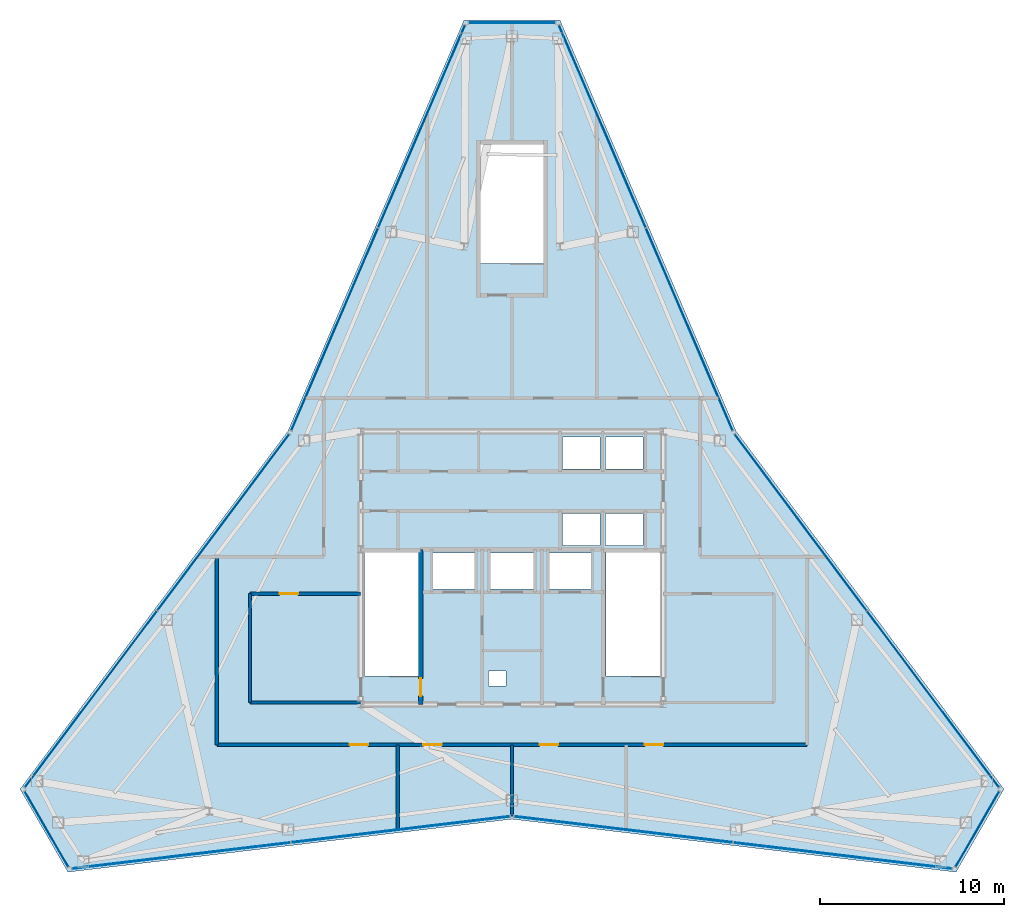
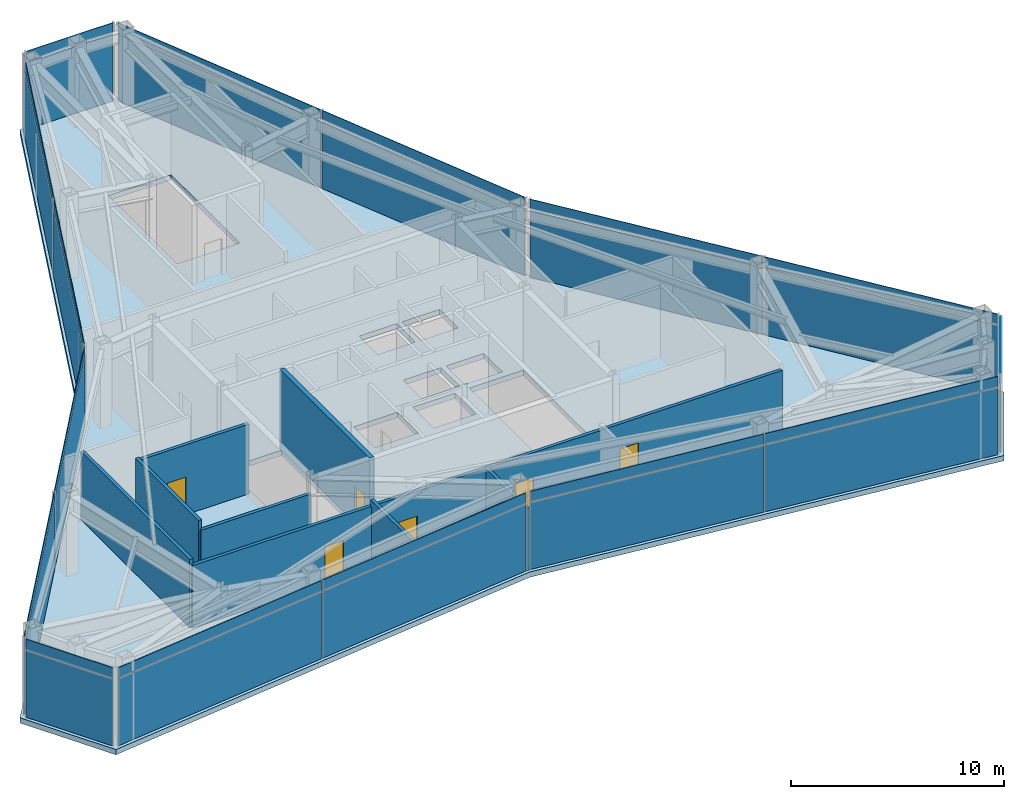
# One storey, part 8 of 11: 30 plates, 8 walls, 6 doors, 1 slab, 6 openings, 9 elements without a shape of their own.
"""IFC4 building model written with IfcOpenShell, lengths in metres."""

import ifcopenshell
import ifcopenshell.guid

model = None  # the IFC model being written
_history = None  # IfcOwnerHistory: only IFC2X3 demands one
_inside = {}  # id of a spatial element -> (the spatial element, [elements in it])
_under = {}  # id of a project, library or spatial element -> (it, [spatial elements below it])
_declared = {}  # id of a project -> (the project, [libraries it declares])
_typed = {}  # id of a type object -> (the type object, [elements of that type])
_made_of = {}  # id of a material, layer set ... -> (it, [elements and type objects made of it])


def new_model(schema):
    """Start an empty IFC model of exactly this schema.

    Asked for "IFC4X3", IfcOpenShell would pick the latest addendum, in which some entities
    have other attributes; the version numbers below select the first issue.
    IFC2X3 requires an IfcOwnerHistory on every rooted entity: one is made here for all.
    """
    global model, _history
    if schema == "IFC4X3":
        model = ifcopenshell.file(schema_version=(4, 3, 0, 0))
    else:
        model = ifcopenshell.file(schema=schema)
    _inside.clear()
    _under.clear()
    _declared.clear()
    _typed.clear()
    _made_of.clear()
    _history = None
    if model.schema == "IFC2X3":
        org = make("IfcOrganization", Name="unknown")
        user = make(
            "IfcPersonAndOrganization",
            ThePerson=make("IfcPerson", FamilyName="unknown"),
            TheOrganization=org,
        )
        app = make(
            "IfcApplication",
            ApplicationDeveloper=org,
            Version="unknown",
            ApplicationFullName="unknown",
            ApplicationIdentifier="unknown",
        )
        _history = make(
            "IfcOwnerHistory",
            OwningUser=user,
            OwningApplication=app,
            ChangeAction="ADDED",
            CreationDate=0,
        )
    return model


def make(cls, **values):
    """One entity of the class cls with the attributes given. An attribute that is None is left unset."""
    return model.create_entity(
        cls, **{name: value for name, value in values.items() if value is not None}
    )


def rooted(cls, **values):
    """An entity with a GlobalId (a new one), such as an element, a storey or a relation."""
    return make(cls, GlobalId=ifcopenshell.guid.new(), OwnerHistory=_history, **values)


def si_unit(unit_type, name, prefix=None):
    """IfcSIUnit, for example si_unit("LENGTHUNIT", "METRE", prefix="MILLI")."""
    return make("IfcSIUnit", UnitType=unit_type, Prefix=prefix, Name=name)


def assignment(units):
    """IfcUnitAssignment: the units of a project."""
    return None if units is None else make("IfcUnitAssignment", Units=units)


def point(xyz):
    """IfcCartesianPoint."""
    return None if xyz is None else make("IfcCartesianPoint", Coordinates=xyz)


def direction(xyz):
    """IfcDirection."""
    return None if xyz is None else make("IfcDirection", DirectionRatios=xyz)


def frame(location, z_axis=None, x_axis=None):
    """IfcAxis2Placement3D, a coordinate frame: its origin and axes. An axis left out is left unset."""
    return make(
        "IfcAxis2Placement3D",
        Location=point(location),
        Axis=direction(z_axis),
        RefDirection=direction(x_axis),
    )


def frame_2d(location, x_axis=None):
    """IfcAxis2Placement2D, a coordinate frame in the plane: its origin and x axis."""
    return make(
        "IfcAxis2Placement2D", Location=point(location), RefDirection=direction(x_axis)
    )


def origin():
    """The frame at (0, 0, 0) with its axes left unset."""
    return frame((0.0, 0.0, 0.0))


def origin_2d():
    """The frame at (0, 0) in the plane with its x axis left unset."""
    return frame_2d((0.0, 0.0))


def place(relative_to, where):
    """IfcLocalPlacement: puts the frame where relative to a parent placement (None: the world)."""
    return make(
        "IfcLocalPlacement", PlacementRelTo=relative_to, RelativePlacement=where
    )


def context(
    kind, dimensions, precision=None, world=None, true_north=None, identifier=None
):
    """IfcGeometricRepresentationContext, for example the 3D "Model" context."""
    return make(
        "IfcGeometricRepresentationContext",
        ContextIdentifier=identifier,
        ContextType=kind,
        CoordinateSpaceDimension=dimensions,
        Precision=precision,
        WorldCoordinateSystem=world,
        TrueNorth=true_north,
    )


def subcontext(parent, identifier, kind, view, scale=None):
    """IfcGeometricRepresentationSubContext, for example "Body" below "Model"."""
    return make(
        "IfcGeometricRepresentationSubContext",
        ContextIdentifier=identifier,
        ContextType=kind,
        ParentContext=parent,
        TargetScale=scale,
        TargetView=view,
    )


def project(units=None, contexts=None):
    """IfcProject with its units and contexts."""
    return rooted(
        "IfcProject",
        Name="project",
        RepresentationContexts=contexts,
        UnitsInContext=assignment(units),
    )


def spatial(cls, under=None, at=None, **own):
    """A site, building, storey or space (cls), placed at a placement, below another one or the project."""
    s = rooted(cls, ObjectPlacement=at, **own)
    if under is not None:
        _under.setdefault(under.id(), (under, []))[1].append(s)
    return s


def polyline(points):
    """IfcPolyline through the points."""
    return make("IfcPolyline", Points=[point(p) for p in points])


def profile(cls, at=None, kind="AREA", **sizes):
    """A parametric profile (cls). Its sizes go by their IFC names, for example OverallWidth=200.0."""
    return make(cls, ProfileType=kind, Position=at, **sizes)


def rectangle(**sizes):
    """IfcRectangleProfileDef."""
    return profile("IfcRectangleProfileDef", **sizes)


def outline(outer, holes=None, kind="AREA"):
    """IfcArbitraryClosedProfileDef: a profile drawn as a closed curve; with holes, ...WithVoids."""
    if holes is None:
        return make("IfcArbitraryClosedProfileDef", ProfileType=kind, OuterCurve=outer)
    return make(
        "IfcArbitraryProfileDefWithVoids",
        ProfileType=kind,
        OuterCurve=outer,
        InnerCurves=holes,
    )


def extrude(swept, where, along, depth):
    """IfcExtrudedAreaSolid: the profile swept, set in the frame where, extruded along a direction by depth."""
    return make(
        "IfcExtrudedAreaSolid",
        SweptArea=swept,
        Position=where,
        ExtrudedDirection=direction(along),
        Depth=depth,
    )


def shape(context_of_items, identifier, shape_type, items):
    """IfcShapeRepresentation: the items that make up one representation, for example the "Body"."""
    return make(
        "IfcShapeRepresentation",
        ContextOfItems=context_of_items,
        RepresentationIdentifier=identifier,
        RepresentationType=shape_type,
        Items=items,
    )


def source(mapping_origin, context_of_items, identifier, shape_type, items):
    """IfcRepresentationMap: a shape defined once, which mapped items show again and again."""
    return make(
        "IfcRepresentationMap",
        MappingOrigin=mapping_origin,
        MappedRepresentation=shape(context_of_items, identifier, shape_type, items),
    )


def transform(
    local_origin,
    x_axis=None,
    y_axis=None,
    z_axis=None,
    scale=None,
    scale2=None,
    scale3=None,
    uniform=True,
):
    """IfcCartesianTransformationOperator3D, or its non-uniform kind. x_axis, y_axis, z_axis: its Axis1, 2, 3."""
    if uniform:
        return make(
            "IfcCartesianTransformationOperator3D",
            Axis1=direction(x_axis),
            Axis2=direction(y_axis),
            LocalOrigin=point(local_origin),
            Scale=scale,
            Axis3=direction(z_axis),
        )
    return make(
        "IfcCartesianTransformationOperator3DnonUniform",
        Axis1=direction(x_axis),
        Axis2=direction(y_axis),
        LocalOrigin=point(local_origin),
        Scale=scale,
        Axis3=direction(z_axis),
        Scale2=scale2,
        Scale3=scale3,
    )


def mapped(mapping_source, mapping_target):
    """IfcMappedItem: shows the shape of a source again, moved by a transform."""
    return make(
        "IfcMappedItem", MappingSource=mapping_source, MappingTarget=mapping_target
    )


def material(Name=None, Category=None):
    """IfcMaterial."""
    return make("IfcMaterial", Name=Name, Category=Category)


def layer(
    of_material, thickness, ventilated=None, Name=None, Category=None, Priority=None
):
    """IfcMaterialLayer: one layer of a wall or slab, of a material (None: an air gap)."""
    return make(
        "IfcMaterialLayer",
        Material=of_material,
        LayerThickness=thickness,
        IsVentilated=ventilated,
        Name=Name,
        Category=Category,
        Priority=Priority,
    )


def layer_set(layers, Name=None):
    """IfcMaterialLayerSet."""
    return make("IfcMaterialLayerSet", MaterialLayers=layers, LayerSetName=Name)


def made_of(thing, what):
    """Note that an element or type object is made of a material, layer set ...; save() writes the relation."""
    if what is not None:
        _made_of.setdefault(what.id(), (what, []))[1].append(thing)
    return thing


def type_object(cls, material=None, **own):
    """A type object (cls), such as IfcWallType, which elements share."""
    return made_of(rooted(cls, **own), material)


def type_shapes(of_type, sources):
    """Give a type object the sources (RepresentationMaps) that its elements show as mapped items."""
    of_type.RepresentationMaps = sources


def element(
    cls,
    number,
    at=None,
    inside=None,
    cuts=None,
    type_object=None,
    material=None,
    context=None,
    identifier="Body",
    shape_type=None,
    held_by="IfcProductDefinitionShape",
    body=None,
    shapes=None,
    **own,
):
    """One element of the class cls, such as IfcWall. Its Tag is "e" and its number.

    at: its placement. inside: the storey or other place that contains it. cuts: it is an
    opening in that element (IfcRelVoidsElement). A single representation is given by context,
    identifier, shape_type and body (its items); several are given by shapes. held_by: the class
    of the entity that holds the representations. save() writes the other relations.
    """
    e = rooted(cls, Tag="e%d" % number, ObjectPlacement=at, **own)
    if body is not None:
        shapes = [shape(context, identifier, shape_type, body)]
    if shapes is not None:
        e.Representation = make(held_by, Representations=shapes)
    if inside is not None:
        _inside.setdefault(inside.id(), (inside, []))[1].append(e)
    if cuts is not None:
        rooted(
            "IfcRelVoidsElement", RelatingBuildingElement=cuts, RelatedOpeningElement=e
        )
    if type_object is not None:
        _typed.setdefault(type_object.id(), (type_object, []))[1].append(e)
    return made_of(e, material)


def fill(opening, filler):
    """IfcRelFillsElement: the door or window that sits in an opening."""
    return rooted(
        "IfcRelFillsElement",
        RelatingOpeningElement=opening,
        RelatedBuildingElement=filler,
    )


def aggregate(whole, parts):
    """IfcRelAggregates: a whole, such as a stair, and the parts it consists of."""
    return rooted("IfcRelAggregates", RelatingObject=whole, RelatedObjects=parts)


def save(model, path):
    """Write the relations noted so far, then the file.

    IfcRelAggregates (storeys below a building ...), IfcRelContainedInSpatialStructure (elements
    in a storey), IfcRelDefinesByType, IfcRelAssociatesMaterial and IfcRelDeclares: one each for
    every whole, place, type object, material and project.
    """
    for whole, parts in _under.values():
        aggregate(whole, parts)
    for where, things in _inside.values():
        rooted(
            "IfcRelContainedInSpatialStructure",
            RelatedElements=things,
            RelatingStructure=where,
        )
    for kind, things in _typed.values():
        rooted("IfcRelDefinesByType", RelatedObjects=things, RelatingType=kind)
    for what, things in _made_of.values():
        rooted("IfcRelAssociatesMaterial", RelatedObjects=things, RelatingMaterial=what)
    for by, libraries in _declared.values():
        rooted("IfcRelDeclares", RelatingContext=by, RelatedDefinitions=libraries)
    model.write(path)


model = new_model("IFC4")

# Units and contexts
model_context = context("Model", 3, precision=1e-05, world=origin(), true_north=direction((0.0, 1.0)))
body_context = subcontext(model_context, "Body", "Model", "MODEL_VIEW")
ifc_project = project(units=[si_unit("LENGTHUNIT", "METRE"), si_unit("AREAUNIT", "SQUARE_METRE"), si_unit("VOLUMEUNIT", "CUBIC_METRE"), si_unit("PLANEANGLEUNIT", "RADIAN"), si_unit("MASSUNIT", "GRAM", prefix="KILO")], contexts=[model_context])

# Site, building, storey
site_placement = place(None, origin())
site = spatial("IfcSite", under=ifc_project, at=site_placement, CompositionType="ELEMENT")
building_placement = place(site_placement, origin())
building = spatial("IfcBuilding", under=site, at=building_placement, Name="Varakhsha Concourse Tower", CompositionType="ELEMENT")
storey_placement = place(building_placement, frame((0.0, 0.0, 290.0)))
storey = spatial("IfcBuildingStorey", under=building, at=storey_placement, Name="L82", CompositionType="ELEMENT", Elevation=290.0)

# Slab
ifc_material_1 = material(Name="Concrete fc 45 MPa", Category="concrete")
ifc_layer_1 = layer(ifc_material_1, 0.300048828125, Name="SL-FLR-300")
ifc_layer_set_1 = layer_set([ifc_layer_1], Name="Concrete fc 45 MPa")
slab_type = type_object("IfcSlabType", Name="SL-FLR-300", PredefinedType="FLOOR", material=ifc_layer_set_1)
slab_placement = place(storey_placement, frame((0.0, 0.0, -0.300048828125)))
element("IfcSlab", 1, at=slab_placement, inside=storey, type_object=slab_type, Name="L82 Composite Structural Slab", PredefinedType="FLOOR", context=body_context, shape_type="SweptSolid", body=[
    extrude(outline(polyline([(42.60009765625, 53.49658203125), (37.39990234375, 53.49658203125), (27.852294921875, 31.21337890625), (13.328369140625, 11.80322265625), (15.92822265625, 7.300048828125), (40.0, 10.173095703125), (64.07177734375, 7.300048828125), (66.671630859375, 11.80322265625), (52.147705078125, 31.21337890625), (42.60009765625, 53.49658203125)]), holes=[polyline([(34.919921875, 17.93994140625), (34.919921875, 24.6298828125), (32.0, 24.6298828125), (32.0, 17.93994140625), (34.919921875, 17.93994140625)]), polyline([(48.02001953125, 17.93994140625), (48.02001953125, 24.6298828125), (45.10009765625, 24.6298828125), (45.10009765625, 17.93994140625), (48.02001953125, 17.93994140625)]), polyline([(41.699951171875, 40.300048828125), (41.699951171875, 46.75), (38.300048828125, 46.75), (38.300048828125, 40.300048828125), (41.699951171875, 40.300048828125)]), polyline([(42.739990234375, 29.159912109375), (44.780029296875, 29.159912109375), (44.780029296875, 30.89990234375), (42.739990234375, 30.89990234375), (42.739990234375, 29.159912109375)]), polyline([(45.06005859375, 29.159912109375), (47.10009765625, 29.159912109375), (47.10009765625, 30.89990234375), (45.06005859375, 30.89990234375), (45.06005859375, 29.159912109375)]), polyline([(42.739990234375, 25.0), (44.780029296875, 25.0), (44.780029296875, 26.739990234375), (42.739990234375, 26.739990234375), (42.739990234375, 25.0)]), polyline([(45.06005859375, 25.0), (47.10009765625, 25.0), (47.10009765625, 26.739990234375), (45.06005859375, 26.739990234375), (45.06005859375, 25.0)]), polyline([(35.7099609375, 22.639892578125), (37.989990234375, 22.639892578125), (37.989990234375, 24.60009765625), (35.7099609375, 24.60009765625), (35.7099609375, 22.639892578125)]), polyline([(42.010009765625, 22.639892578125), (44.2900390625, 22.639892578125), (44.2900390625, 24.60009765625), (42.010009765625, 24.60009765625), (42.010009765625, 22.639892578125)]), polyline([(38.81005859375, 22.639892578125), (41.18994140625, 22.639892578125), (41.18994140625, 24.60009765625), (38.81005859375, 24.60009765625), (38.81005859375, 22.639892578125)]), polyline([(38.719970703125, 17.39990234375), (39.679931640625, 17.39990234375), (39.679931640625, 18.199951171875), (38.719970703125, 18.199951171875), (38.719970703125, 17.39990234375)])]), origin(), (0.0, 0.0, 1.0), 0.300048828125),
])

# Curtain wall, plate
ifc_material_2 = material(Name="Anodised Bronze Architectural Aluminium AA 6063-T6", Category="aluminium")
ifc_layer_2 = layer(ifc_material_2, 0.260009765625, Name="CW-SYS-06")
ifc_layer_set_2 = layer_set([ifc_layer_2], Name="Anodised Bronze Architectural Aluminium AA 6063-T6")
curtain_wall_type = type_object("IfcCurtainWallType", Name="CW-SYS-06", PredefinedType="NOTDEFINED", material=ifc_layer_set_2)
curtain_wall_1_placement = place(storey_placement, origin())
curtain_wall_1 = element("IfcCurtainWall", 2, at=curtain_wall_1_placement, inside=storey, type_object=curtain_wall_type, Name="L82 Chamfer Curtain Wall F1", PredefinedType="NOTDEFINED")
ifc_material_3 = material(Name="Insulated Anodised Bronze Aluminium Spandrel 36 mm", Category="aluminium")
ifc_layer_3 = layer(ifc_material_3, 0.035888671875, Name="CWP-SPN-36")
ifc_layer_set_3 = layer_set([ifc_layer_3], Name="Insulated Anodised Bronze Aluminium Spandrel 36 mm")
plate_type_1 = type_object("IfcPlateType", Name="CWP-SPN-36", PredefinedType="USERDEFINED", material=ifc_layer_set_3)
shared_shape_1 = source(origin(), body_context, "Body", "SweptSolid", [
    extrude(rectangle(XDim=4.69091796875, YDim=0.035888671875, at=origin_2d()), origin(), (0.0, 0.0, 1.0), 0.5859375),
])
plate_1_placement = place(storey_placement, frame((40.0, 53.336669921875, 3.922119140625), z_axis=(0.0, 0.0, 1.0), x_axis=(1.0, 0.0, 0.0)))
plate_1 = element("IfcPlate", 3, at=plate_1_placement, type_object=plate_type_1, Name="CW-L82-F1 Panel 00-01", ObjectType="SPANDREL", PredefinedType="USERDEFINED", context=body_context, shape_type="MappedRepresentation", body=[
    mapped(shared_shape_1, transform((0.0, 0.0, 0.0), scale=1.0)),
])

curtain_wall_2_placement = place(storey_placement, origin())
curtain_wall_2 = element("IfcCurtainWall", 4, at=curtain_wall_2_placement, inside=storey, type_object=curtain_wall_type, Name="L82 Chamfer Curtain Wall F4", PredefinedType="NOTDEFINED")
plate_2_placement = place(storey_placement, frame((14.766845703125, 9.631591796875, 3.922119140625), z_axis=(0.0, 0.0, 1.0), x_axis=(-0.4999984885, 0.866026276448, 0.0)))
plate_2 = element("IfcPlate", 5, at=plate_2_placement, type_object=plate_type_1, Name="CW-L82-F4 Panel 00-01", ObjectType="SPANDREL", PredefinedType="USERDEFINED", context=body_context, shape_type="MappedRepresentation", body=[
    mapped(shared_shape_1, transform((0.0, 0.0, 0.0), scale=1.0)),
])

curtain_wall_3_placement = place(storey_placement, origin())
curtain_wall_3 = element("IfcCurtainWall", 6, at=curtain_wall_3_placement, inside=storey, type_object=curtain_wall_type, Name="L82 Chamfer Curtain Wall F7", PredefinedType="NOTDEFINED")
plate_3_placement = place(storey_placement, frame((65.233154296875, 9.631591796875, 3.922119140625), z_axis=(0.0, 0.0, 1.0), x_axis=(-0.4999984885, -0.866026276448, 0.0)))
plate_3 = element("IfcPlate", 7, at=plate_3_placement, type_object=plate_type_1, Name="CW-L82-F7 Panel 00-01", ObjectType="SPANDREL", PredefinedType="USERDEFINED", context=body_context, shape_type="MappedRepresentation", body=[
    mapped(shared_shape_1, transform((0.0, 0.0, 0.0), scale=1.0)),
])

# Plate
ifc_material_4 = material(Name="Extruded Bronze Storm-Proof Acoustic Louvre", Category="aluminium")
ifc_layer_4 = layer(ifc_material_4, 0.050048828125, Name="CWP-LVR-50")
ifc_layer_set_4 = layer_set([ifc_layer_4], Name="Extruded Bronze Storm-Proof Acoustic Louvre")
plate_type_2 = type_object("IfcPlateType", Name="CWP-LVR-50", PredefinedType="USERDEFINED", material=ifc_layer_set_4)
shared_shape_2 = source(origin(), body_context, "Body", "SweptSolid", [
    extrude(rectangle(XDim=4.69091796875, YDim=0.050048828125, at=origin_2d()), origin(), (0.0, 0.0, 1.0), 3.825927734375),
])
plate_4_placement = place(storey_placement, frame((40.0, 53.336669921875, 0.0322265625), z_axis=(0.0, 0.0, 1.0), x_axis=(1.0, 0.0, 0.0)))
plate_4 = element("IfcPlate", 8, at=plate_4_placement, type_object=plate_type_2, Name="CW-L82-F1 Panel 00-00", ObjectType="LOUVRE", PredefinedType="USERDEFINED", context=body_context, shape_type="MappedRepresentation", body=[
    mapped(shared_shape_2, transform((0.0, 0.0, 0.0), scale=1.0)),
])

aggregate(curtain_wall_1, [plate_4, plate_1])

plate_5_placement = place(storey_placement, frame((14.766845703125, 9.631591796875, 0.0322265625), z_axis=(0.0, 0.0, 1.0), x_axis=(-0.4999984885, 0.866026276448, 0.0)))
plate_5 = element("IfcPlate", 9, at=plate_5_placement, type_object=plate_type_2, Name="CW-L82-F4 Panel 00-00", ObjectType="LOUVRE", PredefinedType="USERDEFINED", context=body_context, shape_type="MappedRepresentation", body=[
    mapped(shared_shape_2, transform((0.0, 0.0, 0.0), scale=1.0)),
])

aggregate(curtain_wall_2, [plate_5, plate_2])

plate_6_placement = place(storey_placement, frame((65.233154296875, 9.631591796875, 0.0322265625), z_axis=(0.0, 0.0, 1.0), x_axis=(-0.4999984885, -0.866026276448, 0.0)))
plate_6 = element("IfcPlate", 10, at=plate_6_placement, type_object=plate_type_2, Name="CW-L82-F7 Panel 00-00", ObjectType="LOUVRE", PredefinedType="USERDEFINED", context=body_context, shape_type="MappedRepresentation", body=[
    mapped(shared_shape_2, transform((0.0, 0.0, 0.0), scale=1.0)),
])

aggregate(curtain_wall_3, [plate_6, plate_3])

# Curtain wall, plate
curtain_wall_4_placement = place(storey_placement, origin())
curtain_wall_4 = element("IfcCurtainWall", 11, at=curtain_wall_4_placement, inside=storey, type_object=curtain_wall_type, Name="L82 Crystal Curtain Wall F2", PredefinedType="NOTDEFINED")
shared_shape_3 = source(origin(), body_context, "Body", "SweptSolid", [
    extrude(rectangle(XDim=11.902099609375, YDim=0.050048828125, at=origin_2d()), origin(), (0.0, 0.0, 1.0), 3.825927734375),
])
plate_7_placement = place(storey_placement, frame((30.38818359375, 36.725830078125, 0.0322265625), z_axis=(0.0, 0.0, 1.0), x_axis=(0.393839238731, 0.919179337255, 0.0)))
plate_7 = element("IfcPlate", 12, at=plate_7_placement, type_object=plate_type_2, Name="CW-L82-F2 Panel 00-00", ObjectType="LOUVRE", PredefinedType="USERDEFINED", context=body_context, shape_type="MappedRepresentation", body=[
    mapped(shared_shape_3, transform((0.0, 0.0, 0.0), scale=1.0)),
])

curtain_wall_5_placement = place(storey_placement, origin())
curtain_wall_5 = element("IfcCurtainWall", 13, at=curtain_wall_5_placement, inside=storey, type_object=curtain_wall_type, Name="L82 Crystal Curtain Wall F5", PredefinedType="NOTDEFINED")
plate_8_placement = place(storey_placement, frame((33.958251953125, 9.613037109375, 0.0322265625), z_axis=(0.0, 0.0, 1.0), x_axis=(-0.992952482908, -0.118513149851, 0.0)))
plate_8 = element("IfcPlate", 14, at=plate_8_placement, type_object=plate_type_2, Name="CW-L82-F5 Panel 00-00", ObjectType="LOUVRE", PredefinedType="USERDEFINED", context=body_context, shape_type="MappedRepresentation", body=[
    mapped(shared_shape_3, transform((0.0, 0.0, 0.0), scale=1.0)),
])

curtain_wall_6_placement = place(storey_placement, origin())
curtain_wall_6 = element("IfcCurtainWall", 15, at=curtain_wall_6_placement, inside=storey, type_object=curtain_wall_type, Name="L82 Crystal Curtain Wall F6", PredefinedType="NOTDEFINED")
plate_9_placement = place(storey_placement, frame((57.9287109375, 8.1943359375, 0.0322265625), z_axis=(0.0, 0.0, 1.0), x_axis=(-0.992952482908, 0.118513149851, 0.0)))
plate_9 = element("IfcPlate", 16, at=plate_9_placement, type_object=plate_type_2, Name="CW-L82-F6 Panel 00-00", ObjectType="LOUVRE", PredefinedType="USERDEFINED", context=body_context, shape_type="MappedRepresentation", body=[
    mapped(shared_shape_3, transform((0.0, 0.0, 0.0), scale=1.0)),
])

curtain_wall_7_placement = place(storey_placement, origin())
curtain_wall_7 = element("IfcCurtainWall", 17, at=curtain_wall_7_placement, inside=storey, type_object=curtain_wall_type, Name="L82 Crystal Curtain Wall F9", PredefinedType="NOTDEFINED")
plate_10_placement = place(storey_placement, frame((44.89697265625, 47.729736328125, 0.0322265625), z_axis=(0.0, 0.0, 1.0), x_axis=(0.393839238731, -0.919179337255, 0.0)))
plate_10 = element("IfcPlate", 18, at=plate_10_placement, type_object=plate_type_2, Name="CW-L82-F9 Panel 00-00", ObjectType="LOUVRE", PredefinedType="USERDEFINED", context=body_context, shape_type="MappedRepresentation", body=[
    mapped(shared_shape_3, transform((0.0, 0.0, 0.0), scale=1.0)),
])

# Plate
shared_shape_4 = source(origin(), body_context, "Body", "SweptSolid", [
    extrude(rectangle(XDim=11.902099609375, YDim=0.035888671875, at=origin_2d()), origin(), (0.0, 0.0, 1.0), 0.5859375),
])
plate_11_placement = place(storey_placement, frame((30.38818359375, 36.725830078125, 3.922119140625), z_axis=(0.0, 0.0, 1.0), x_axis=(0.393839238731, 0.919179337255, 0.0)))
plate_11 = element("IfcPlate", 19, at=plate_11_placement, type_object=plate_type_1, Name="CW-L82-F2 Panel 00-01", ObjectType="SPANDREL", PredefinedType="USERDEFINED", context=body_context, shape_type="MappedRepresentation", body=[
    mapped(shared_shape_4, transform((0.0, 0.0, 0.0), scale=1.0)),
])

plate_12_placement = place(storey_placement, frame((33.958251953125, 9.613037109375, 3.922119140625), z_axis=(0.0, 0.0, 1.0), x_axis=(-0.992952482908, -0.118513149851, 0.0)))
plate_12 = element("IfcPlate", 20, at=plate_12_placement, type_object=plate_type_1, Name="CW-L82-F5 Panel 00-01", ObjectType="SPANDREL", PredefinedType="USERDEFINED", context=body_context, shape_type="MappedRepresentation", body=[
    mapped(shared_shape_4, transform((0.0, 0.0, 0.0), scale=1.0)),
])

plate_13_placement = place(storey_placement, frame((57.9287109375, 8.1943359375, 3.922119140625), z_axis=(0.0, 0.0, 1.0), x_axis=(-0.992952482908, 0.118513149851, 0.0)))
plate_13 = element("IfcPlate", 21, at=plate_13_placement, type_object=plate_type_1, Name="CW-L82-F6 Panel 00-01", ObjectType="SPANDREL", PredefinedType="USERDEFINED", context=body_context, shape_type="MappedRepresentation", body=[
    mapped(shared_shape_4, transform((0.0, 0.0, 0.0), scale=1.0)),
])

plate_14_placement = place(storey_placement, frame((44.89697265625, 47.729736328125, 3.922119140625), z_axis=(0.0, 0.0, 1.0), x_axis=(0.393839238731, -0.919179337255, 0.0)))
plate_14 = element("IfcPlate", 22, at=plate_14_placement, type_object=plate_type_1, Name="CW-L82-F9 Panel 00-01", ObjectType="SPANDREL", PredefinedType="USERDEFINED", context=body_context, shape_type="MappedRepresentation", body=[
    mapped(shared_shape_4, transform((0.0, 0.0, 0.0), scale=1.0)),
])

shared_shape_5 = source(origin(), body_context, "Body", "SweptSolid", [
    extrude(rectangle(XDim=11.90234375, YDim=0.050048828125, at=origin_2d()), origin(), (0.0, 0.0, 1.0), 3.825927734375),
])
type_shapes(plate_type_2, [shared_shape_2, shared_shape_3, shared_shape_5])
plate_15_placement = place(storey_placement, frame((35.10302734375, 47.7294921875, 0.0322265625), z_axis=(0.0, 0.0, 1.0), x_axis=(0.393839238731, 0.919179337255, 0.0)))
plate_15 = element("IfcPlate", 23, at=plate_15_placement, type_object=plate_type_2, Name="CW-L82-F2 Panel 01-00", ObjectType="LOUVRE", PredefinedType="USERDEFINED", context=body_context, shape_type="MappedRepresentation", body=[
    mapped(shared_shape_5, transform((0.0, 0.0, 0.0), scale=1.0)),
])

# Curtain wall, plates
curtain_wall_8_placement = place(storey_placement, origin())
curtain_wall_8 = element("IfcCurtainWall", 24, at=curtain_wall_8_placement, inside=storey, type_object=curtain_wall_type, Name="L82 Crystal Curtain Wall F3", PredefinedType="NOTDEFINED")
plate_16_placement = place(storey_placement, frame((17.17431640625, 16.676025390625, 0.0322265625), z_axis=(0.0, 0.0, 1.0), x_axis=(0.599111639907, 0.800665500024, 0.0)))
plate_16 = element("IfcPlate", 25, at=plate_16_placement, type_object=plate_type_2, Name="CW-L82-F3 Panel 00-00", ObjectType="LOUVRE", PredefinedType="USERDEFINED", context=body_context, shape_type="MappedRepresentation", body=[
    mapped(shared_shape_5, transform((0.0, 0.0, 0.0), scale=1.0)),
])
plate_17_placement = place(storey_placement, frame((24.346435546875, 26.260986328125, 0.0322265625), z_axis=(0.0, 0.0, 1.0), x_axis=(0.599111639907, 0.800665500024, 0.0)))
plate_17 = element("IfcPlate", 26, at=plate_17_placement, type_object=plate_type_2, Name="CW-L82-F3 Panel 01-00", ObjectType="LOUVRE", PredefinedType="USERDEFINED", context=body_context, shape_type="MappedRepresentation", body=[
    mapped(shared_shape_5, transform((0.0, 0.0, 0.0), scale=1.0)),
])

# Plate
plate_18_placement = place(storey_placement, frame((22.0712890625, 8.1943359375, 0.0322265625), z_axis=(0.0, 0.0, 1.0), x_axis=(-0.992952482908, -0.118513149851, 0.0)))
plate_18 = element("IfcPlate", 27, at=plate_18_placement, type_object=plate_type_2, Name="CW-L82-F5 Panel 01-00", ObjectType="LOUVRE", PredefinedType="USERDEFINED", context=body_context, shape_type="MappedRepresentation", body=[
    mapped(shared_shape_5, transform((0.0, 0.0, 0.0), scale=1.0)),
])

plate_19_placement = place(storey_placement, frame((46.0419921875, 9.613037109375, 0.0322265625), z_axis=(0.0, 0.0, 1.0), x_axis=(-0.992952482908, 0.118513149851, 0.0)))
plate_19 = element("IfcPlate", 28, at=plate_19_placement, type_object=plate_type_2, Name="CW-L82-F6 Panel 01-00", ObjectType="LOUVRE", PredefinedType="USERDEFINED", context=body_context, shape_type="MappedRepresentation", body=[
    mapped(shared_shape_5, transform((0.0, 0.0, 0.0), scale=1.0)),
])

# Curtain wall, plates
curtain_wall_9_placement = place(storey_placement, origin())
curtain_wall_9 = element("IfcCurtainWall", 29, at=curtain_wall_9_placement, inside=storey, type_object=curtain_wall_type, Name="L82 Crystal Curtain Wall F8", PredefinedType="NOTDEFINED")
plate_20_placement = place(storey_placement, frame((55.653564453125, 26.260986328125, 0.0322265625), z_axis=(0.0, 0.0, 1.0), x_axis=(0.599111639907, -0.800665500024, 0.0)))
plate_20 = element("IfcPlate", 30, at=plate_20_placement, type_object=plate_type_2, Name="CW-L82-F8 Panel 00-00", ObjectType="LOUVRE", PredefinedType="USERDEFINED", context=body_context, shape_type="MappedRepresentation", body=[
    mapped(shared_shape_5, transform((0.0, 0.0, 0.0), scale=1.0)),
])
plate_21_placement = place(storey_placement, frame((62.82568359375, 16.676025390625, 0.0322265625), z_axis=(0.0, 0.0, 1.0), x_axis=(0.599111639907, -0.800665500024, 0.0)))
plate_21 = element("IfcPlate", 31, at=plate_21_placement, type_object=plate_type_2, Name="CW-L82-F8 Panel 01-00", ObjectType="LOUVRE", PredefinedType="USERDEFINED", context=body_context, shape_type="MappedRepresentation", body=[
    mapped(shared_shape_5, transform((0.0, 0.0, 0.0), scale=1.0)),
])

# Plate
plate_22_placement = place(storey_placement, frame((49.61181640625, 36.725830078125, 0.0322265625), z_axis=(0.0, 0.0, 1.0), x_axis=(0.393839238731, -0.919179337255, 0.0)))
plate_22 = element("IfcPlate", 32, at=plate_22_placement, type_object=plate_type_2, Name="CW-L82-F9 Panel 01-00", ObjectType="LOUVRE", PredefinedType="USERDEFINED", context=body_context, shape_type="MappedRepresentation", body=[
    mapped(shared_shape_5, transform((0.0, 0.0, 0.0), scale=1.0)),
])

shared_shape_6 = source(origin(), body_context, "Body", "SweptSolid", [
    extrude(rectangle(XDim=11.90234375, YDim=0.035888671875, at=origin_2d()), origin(), (0.0, 0.0, 1.0), 0.5859375),
])
type_shapes(plate_type_1, [shared_shape_1, shared_shape_4, shared_shape_6])
plate_23_placement = place(storey_placement, frame((35.10302734375, 47.7294921875, 3.922119140625), z_axis=(0.0, 0.0, 1.0), x_axis=(0.393839238731, 0.919179337255, 0.0)))
plate_23 = element("IfcPlate", 33, at=plate_23_placement, type_object=plate_type_1, Name="CW-L82-F2 Panel 01-01", ObjectType="SPANDREL", PredefinedType="USERDEFINED", context=body_context, shape_type="MappedRepresentation", body=[
    mapped(shared_shape_6, transform((0.0, 0.0, 0.0), scale=1.0)),
])

aggregate(curtain_wall_4, [plate_7, plate_11, plate_15, plate_23])

plate_24_placement = place(storey_placement, frame((17.17431640625, 16.676025390625, 3.922119140625), z_axis=(0.0, 0.0, 1.0), x_axis=(0.599111639907, 0.800665500024, 0.0)))
plate_24 = element("IfcPlate", 34, at=plate_24_placement, type_object=plate_type_1, Name="CW-L82-F3 Panel 00-01", ObjectType="SPANDREL", PredefinedType="USERDEFINED", context=body_context, shape_type="MappedRepresentation", body=[
    mapped(shared_shape_6, transform((0.0, 0.0, 0.0), scale=1.0)),
])

plate_25_placement = place(storey_placement, frame((24.346435546875, 26.260986328125, 3.922119140625), z_axis=(0.0, 0.0, 1.0), x_axis=(0.599111639907, 0.800665500024, 0.0)))
plate_25 = element("IfcPlate", 35, at=plate_25_placement, type_object=plate_type_1, Name="CW-L82-F3 Panel 01-01", ObjectType="SPANDREL", PredefinedType="USERDEFINED", context=body_context, shape_type="MappedRepresentation", body=[
    mapped(shared_shape_6, transform((0.0, 0.0, 0.0), scale=1.0)),
])

aggregate(curtain_wall_8, [plate_16, plate_24, plate_17, plate_25])

plate_26_placement = place(storey_placement, frame((22.0712890625, 8.1943359375, 3.922119140625), z_axis=(0.0, 0.0, 1.0), x_axis=(-0.992952482908, -0.118513149851, 0.0)))
plate_26 = element("IfcPlate", 36, at=plate_26_placement, type_object=plate_type_1, Name="CW-L82-F5 Panel 01-01", ObjectType="SPANDREL", PredefinedType="USERDEFINED", context=body_context, shape_type="MappedRepresentation", body=[
    mapped(shared_shape_6, transform((0.0, 0.0, 0.0), scale=1.0)),
])

aggregate(curtain_wall_5, [plate_8, plate_12, plate_18, plate_26])

plate_27_placement = place(storey_placement, frame((46.0419921875, 9.613037109375, 3.922119140625), z_axis=(0.0, 0.0, 1.0), x_axis=(-0.992952482908, 0.118513149851, 0.0)))
plate_27 = element("IfcPlate", 37, at=plate_27_placement, type_object=plate_type_1, Name="CW-L82-F6 Panel 01-01", ObjectType="SPANDREL", PredefinedType="USERDEFINED", context=body_context, shape_type="MappedRepresentation", body=[
    mapped(shared_shape_6, transform((0.0, 0.0, 0.0), scale=1.0)),
])

aggregate(curtain_wall_6, [plate_9, plate_13, plate_19, plate_27])

plate_28_placement = place(storey_placement, frame((55.653564453125, 26.260986328125, 3.922119140625), z_axis=(0.0, 0.0, 1.0), x_axis=(0.599111639907, -0.800665500024, 0.0)))
plate_28 = element("IfcPlate", 38, at=plate_28_placement, type_object=plate_type_1, Name="CW-L82-F8 Panel 00-01", ObjectType="SPANDREL", PredefinedType="USERDEFINED", context=body_context, shape_type="MappedRepresentation", body=[
    mapped(shared_shape_6, transform((0.0, 0.0, 0.0), scale=1.0)),
])

plate_29_placement = place(storey_placement, frame((62.82568359375, 16.676025390625, 3.922119140625), z_axis=(0.0, 0.0, 1.0), x_axis=(0.599111639907, -0.800665500024, 0.0)))
plate_29 = element("IfcPlate", 39, at=plate_29_placement, type_object=plate_type_1, Name="CW-L82-F8 Panel 01-01", ObjectType="SPANDREL", PredefinedType="USERDEFINED", context=body_context, shape_type="MappedRepresentation", body=[
    mapped(shared_shape_6, transform((0.0, 0.0, 0.0), scale=1.0)),
])

aggregate(curtain_wall_9, [plate_20, plate_28, plate_21, plate_29])

plate_30_placement = place(storey_placement, frame((49.61181640625, 36.725830078125, 3.922119140625), z_axis=(0.0, 0.0, 1.0), x_axis=(0.393839238731, -0.919179337255, 0.0)))
plate_30 = element("IfcPlate", 40, at=plate_30_placement, type_object=plate_type_1, Name="CW-L82-F9 Panel 01-01", ObjectType="SPANDREL", PredefinedType="USERDEFINED", context=body_context, shape_type="MappedRepresentation", body=[
    mapped(shared_shape_6, transform((0.0, 0.0, 0.0), scale=1.0)),
])

aggregate(curtain_wall_7, [plate_10, plate_14, plate_22, plate_30])

# Wall, openings, doors
ifc_material_5 = material(Name="Fire-Rated Type X Gypsum Partition Assembly", Category="gypsum")
ifc_layer_5 = layer(ifc_material_5, 0.179931640625, Name="WL-PART-180")
ifc_layer_set_5 = layer_set([ifc_layer_5], Name="Fire-Rated Type X Gypsum Partition Assembly")
wall_type_1 = type_object("IfcWallType", Name="WL-PART-180", PredefinedType="PARTITIONING", material=ifc_layer_set_5)
wall_1_placement = place(storey_placement, frame((24.0, 14.199951171875, 0.0), z_axis=(0.0, 0.0, 1.0), x_axis=(1.0, 0.0, 0.0)))
wall_1 = element("IfcWall", 41, at=wall_1_placement, inside=storey, type_object=wall_type_1, Name="L82 Wall PCW-S-L82", PredefinedType="PARTITIONING", context=body_context, shape_type="SweptSolid", body=[
    extrude(rectangle(XDim=32.0, YDim=0.179931640625, at=frame_2d((16.0, 0.0))), origin(), (0.0, 0.0, 1.0), 3.58203125),
])
opening_1_placement = place(wall_1_placement, frame((7.199951171875, 0.0, 0.0)))
opening_1 = element("IfcOpeningElement", 42, at=opening_1_placement, cuts=wall_1, Name="Opening DF-04", PredefinedType="OPENING", context=body_context, shape_type="SweptSolid", body=[
    extrude(rectangle(XDim=1.0, YDim=2.14990234375, at=frame_2d((0.5, 1.074951171875))), frame((0.0, 0.099853515625, 0.0), z_axis=(0.0, -1.0, 0.0), x_axis=(1.0, 0.0, 0.0)), (0.0, 0.0, 1.0), 0.199951171875),
])
opening_2_placement = place(wall_1_placement, frame((11.199951171875, 0.0, 0.0)))
opening_2 = element("IfcOpeningElement", 43, at=opening_2_placement, cuts=wall_1, Name="Opening DF-04", PredefinedType="OPENING", context=body_context, shape_type="SweptSolid", body=[
    extrude(rectangle(XDim=1.0, YDim=2.14990234375, at=frame_2d((0.5, 1.074951171875))), frame((0.0, 0.099853515625, 0.0), z_axis=(0.0, -1.0, 0.0), x_axis=(1.0, 0.0, 0.0)), (0.0, 0.0, 1.0), 0.199951171875),
])
opening_3_placement = place(wall_1_placement, frame((17.5, 0.0, 0.0)))
opening_3 = element("IfcOpeningElement", 44, at=opening_3_placement, cuts=wall_1, Name="Opening DF-04", PredefinedType="OPENING", context=body_context, shape_type="SweptSolid", body=[
    extrude(rectangle(XDim=1.0, YDim=2.14990234375, at=frame_2d((0.5, 1.074951171875))), frame((0.0, 0.099853515625, 0.0), z_axis=(0.0, -1.0, 0.0), x_axis=(1.0, 0.0, 0.0)), (0.0, 0.0, 1.0), 0.199951171875),
])
opening_4_placement = place(wall_1_placement, frame((23.199951171875, 0.0, 0.0)))
opening_4 = element("IfcOpeningElement", 45, at=opening_4_placement, cuts=wall_1, Name="Opening DF-04", PredefinedType="OPENING", context=body_context, shape_type="SweptSolid", body=[
    extrude(rectangle(XDim=1.0, YDim=2.14990234375, at=frame_2d((0.5, 1.074951171875))), frame((0.0, 0.099853515625, 0.0), z_axis=(0.0, -1.0, 0.0), x_axis=(1.0, 0.0, 0.0)), (0.0, 0.0, 1.0), 0.199951171875),
])
ifc_material_6 = material(Name="Hollow Galvanised Steel Fire Door Assembly", Category="steel")
door_type_1 = type_object("IfcDoorType", Name="DR-FD60-1000", OperationType="NOTDEFINED", PredefinedType="DOOR", material=ifc_material_6)
door_1_placement = place(opening_1_placement, origin())
door_1 = element("IfcDoor", 46, at=door_1_placement, inside=storey, type_object=door_type_1, Name="L82 West Chiller and Heat Rejection Plant Room Door", OperationType="SINGLE_SWING_LEFT", OverallHeight=2.14990234375, OverallWidth=1.0, PredefinedType="DOOR", context=body_context, shape_type="SweptSolid", body=[
    extrude(rectangle(XDim=1.0, YDim=2.14990234375, at=frame_2d((0.5, 1.074951171875))), frame((0.0, 0.02490234375, 0.0), z_axis=(0.0, -1.0, 0.0), x_axis=(1.0, 0.0, 0.0)), (0.0, 0.0, 1.0), 0.050048828125),
])
fill(opening_1, door_1)
door_2_placement = place(opening_2_placement, origin())
door_2 = element("IfcDoor", 47, at=door_2_placement, inside=storey, type_object=door_type_1, Name="L82 Central Condenser Pump Plant Room Door", OperationType="SINGLE_SWING_LEFT", OverallHeight=2.14990234375, OverallWidth=1.0, PredefinedType="DOOR", context=body_context, shape_type="SweptSolid", body=[
    extrude(rectangle(XDim=1.0, YDim=2.14990234375, at=frame_2d((0.5, 1.074951171875))), frame((0.0, 0.02490234375, 0.0), z_axis=(0.0, -1.0, 0.0), x_axis=(1.0, 0.0, 0.0)), (0.0, 0.0, 1.0), 0.050048828125),
])
fill(opening_2, door_2)
door_3_placement = place(opening_3_placement, origin())
door_3 = element("IfcDoor", 48, at=door_3_placement, inside=storey, type_object=door_type_1, Name="L82 Heat Recovery Tank Mechanical Plant Room Door", OperationType="SINGLE_SWING_LEFT", OverallHeight=2.14990234375, OverallWidth=1.0, PredefinedType="DOOR", context=body_context, shape_type="SweptSolid", body=[
    extrude(rectangle(XDim=1.0, YDim=2.14990234375, at=frame_2d((0.5, 1.074951171875))), frame((0.0, 0.02490234375, 0.0), z_axis=(0.0, -1.0, 0.0), x_axis=(1.0, 0.0, 0.0)), (0.0, 0.0, 1.0), 0.050048828125),
])
fill(opening_3, door_3)
door_4_placement = place(opening_4_placement, origin())
door_4 = element("IfcDoor", 49, at=door_4_placement, inside=storey, type_object=door_type_1, Name="L82 East Heat Exchanger Mechanical Plant Room Door", OperationType="SINGLE_SWING_LEFT", OverallHeight=2.14990234375, OverallWidth=1.0, PredefinedType="DOOR", context=body_context, shape_type="SweptSolid", body=[
    extrude(rectangle(XDim=1.0, YDim=2.14990234375, at=frame_2d((0.5, 1.074951171875))), frame((0.0, 0.02490234375, 0.0), z_axis=(0.0, -1.0, 0.0), x_axis=(1.0, 0.0, 0.0)), (0.0, 0.0, 1.0), 0.050048828125),
])
fill(opening_4, door_4)

# Walls
wall_2_placement = place(storey_placement, frame((24.0, 14.199951171875, 0.0), z_axis=(0.0, 0.0, 1.0), x_axis=(0.0, 1.0, 0.0)))
element("IfcWall", 50, at=wall_2_placement, inside=storey, type_object=wall_type_1, Name="L82 Wall PCW-WS-L82", PredefinedType="PARTITIONING", context=body_context, shape_type="SweptSolid", body=[
    extrude(rectangle(XDim=10.199951171875, YDim=0.179931640625, at=frame_2d((5.10009765625, 0.0))), origin(), (0.0, 0.0, 1.0), 3.91796875),
])
wall_3_placement = place(storey_placement, frame((25.800048828125, 16.5, 0.0), z_axis=(0.0, 0.0, 1.0), x_axis=(1.0, 0.0, 0.0)))
element("IfcWall", 51, at=wall_3_placement, inside=storey, type_object=wall_type_1, Name="L82 Wall REFW-WS-L82", PredefinedType="PARTITIONING", context=body_context, shape_type="SweptSolid", body=[
    extrude(rectangle(XDim=6.0, YDim=0.179931640625, at=frame_2d((3.0, 0.0))), origin(), (0.0, 0.0, 1.0), 3.58203125),
])

# Wall, opening, door
wall_4_placement = place(storey_placement, frame((25.800048828125, 22.39990234375, 0.0), z_axis=(0.0, 0.0, 1.0), x_axis=(1.0, 0.0, 0.0)))
wall_4 = element("IfcWall", 52, at=wall_4_placement, inside=storey, type_object=wall_type_1, Name="L82 Wall REFW-WN-L82", PredefinedType="PARTITIONING", context=body_context, shape_type="SweptSolid", body=[
    extrude(rectangle(XDim=6.0, YDim=0.179931640625, at=frame_2d((3.0, 0.0))), origin(), (0.0, 0.0, 1.0), 3.9951171875),
])
opening_5_placement = place(wall_4_placement, frame((1.60009765625, 0.0, 0.0)))
opening_5 = element("IfcOpeningElement", 53, at=opening_5_placement, cuts=wall_4, Name="Opening DF-04", PredefinedType="OPENING", context=body_context, shape_type="SweptSolid", body=[
    extrude(rectangle(XDim=1.0, YDim=2.14990234375, at=frame_2d((0.5, 1.074951171875))), frame((0.0, 0.099853515625, 0.0), z_axis=(0.0, -1.0, 0.0), x_axis=(1.0, 0.0, 0.0)), (0.0, 0.0, 1.0), 0.199951171875),
])
door_5_placement = place(opening_5_placement, origin())
door_5 = element("IfcDoor", 54, at=door_5_placement, inside=storey, type_object=door_type_1, Name="L82 Area of Refuge West Lobby Door", OperationType="SINGLE_SWING_LEFT", OverallHeight=2.14990234375, OverallWidth=1.0, PredefinedType="DOOR", context=body_context, shape_type="SweptSolid", body=[
    extrude(rectangle(XDim=1.0, YDim=2.14990234375, at=frame_2d((0.5, 1.074951171875))), frame((0.0, 0.02490234375, 0.0), z_axis=(0.0, -1.0, 0.0), x_axis=(1.0, 0.0, 0.0)), (0.0, 0.0, 1.0), 0.050048828125),
])
fill(opening_5, door_5)

# Walls
wall_5_placement = place(storey_placement, frame((25.800048828125, 16.5, 0.0), z_axis=(0.0, 0.0, 1.0), x_axis=(0.0, 1.0, 0.0)))
element("IfcWall", 55, at=wall_5_placement, inside=storey, type_object=wall_type_1, Name="L82 Wall REFW-WW-L82", PredefinedType="PARTITIONING", context=body_context, shape_type="SweptSolid", body=[
    extrude(rectangle(XDim=5.89990234375, YDim=0.179931640625, at=frame_2d((2.949951171875, 0.0))), origin(), (0.0, 0.0, 1.0), 4.123046875),
])
wall_6_placement = place(storey_placement, frame((33.800048828125, 9.59912109375, 0.0), z_axis=(0.0, 0.0, 1.0), x_axis=(0.0, 1.0, 0.0)))
element("IfcWall", 56, at=wall_6_placement, inside=storey, type_object=wall_type_1, Name="L82 Wall PDIV-S1-L82", PredefinedType="PARTITIONING", context=body_context, shape_type="SweptSolid", body=[
    extrude(rectangle(XDim=4.600830078125, YDim=0.179931640625, at=frame_2d((2.30029296875, 0.0))), origin(), (0.0, 0.0, 1.0), 3.91796875),
])
wall_7_placement = place(storey_placement, frame((40.0, 10.337890625, 0.0), z_axis=(0.0, 0.0, 1.0), x_axis=(0.0, 1.0, 0.0)))
element("IfcWall", 57, at=wall_7_placement, inside=storey, type_object=wall_type_1, Name="L82 Wall PDIV-S2-L82", PredefinedType="PARTITIONING", context=body_context, shape_type="SweptSolid", body=[
    extrude(rectangle(XDim=3.862060546875, YDim=0.179931640625, at=frame_2d((1.93115234375, 0.0))), origin(), (0.0, 0.0, 1.0), 3.58203125),
])

# Wall, opening, door
ifc_layer_6 = layer(ifc_material_1, 0.25, Name="WL-STAIR-250")
ifc_layer_set_6 = layer_set([ifc_layer_6], Name="Concrete fc 45 MPa")
wall_type_2 = type_object("IfcWallType", Name="WL-STAIR-250", PredefinedType="SHEAR", material=ifc_layer_set_6)
wall_8_placement = place(storey_placement, frame((35.044921875, 16.39990234375, 0.0), z_axis=(0.0, 0.0, 1.0), x_axis=(0.0, 1.0, 0.0)))
wall_8 = element("IfcWall", 58, at=wall_8_placement, inside=storey, type_object=wall_type_2, Name="L82 Wall SWALL-ST1-E-L82", PredefinedType="SHEAR", context=body_context, shape_type="SweptSolid", body=[
    extrude(rectangle(XDim=8.400146484375, YDim=0.25, at=frame_2d((4.2001953125, 0.0))), origin(), (0.0, 0.0, 1.0), 4.5400390625),
])
opening_6_placement = place(wall_8_placement, frame((0.449951171875, 0.0, 0.0)))
opening_6 = element("IfcOpeningElement", 59, at=opening_6_placement, cuts=wall_8, Name="Opening DF-03", PredefinedType="OPENING", context=body_context, shape_type="SweptSolid", body=[
    extrude(rectangle(XDim=0.949951171875, YDim=2.10009765625, at=frame_2d((0.47509765625, 1.050048828125))), frame((0.0, 0.135009765625, 0.0), z_axis=(0.0, -1.0, 0.0), x_axis=(1.0, 0.0, 0.0)), (0.0, 0.0, 1.0), 0.27001953125),
])
door_type_2 = type_object("IfcDoorType", Name="DR-FD90-950", OperationType="NOTDEFINED", PredefinedType="DOOR", material=ifc_material_6)
door_6_placement = place(opening_6_placement, origin())
door_6 = element("IfcDoor", 60, at=door_6_placement, inside=storey, type_object=door_type_2, Name="L82 Stair ST1 Fire Door", OperationType="SINGLE_SWING_LEFT", OverallHeight=2.10009765625, OverallWidth=0.949951171875, PredefinedType="DOOR", context=body_context, shape_type="SweptSolid", body=[
    extrude(rectangle(XDim=0.949951171875, YDim=2.10009765625, at=frame_2d((0.47509765625, 1.050048828125))), frame((0.0, 0.02490234375, 0.0), z_axis=(0.0, -1.0, 0.0), x_axis=(1.0, 0.0, 0.0)), (0.0, 0.0, 1.0), 0.050048828125),
])
fill(opening_6, door_6)

save(model, "model.ifc")
